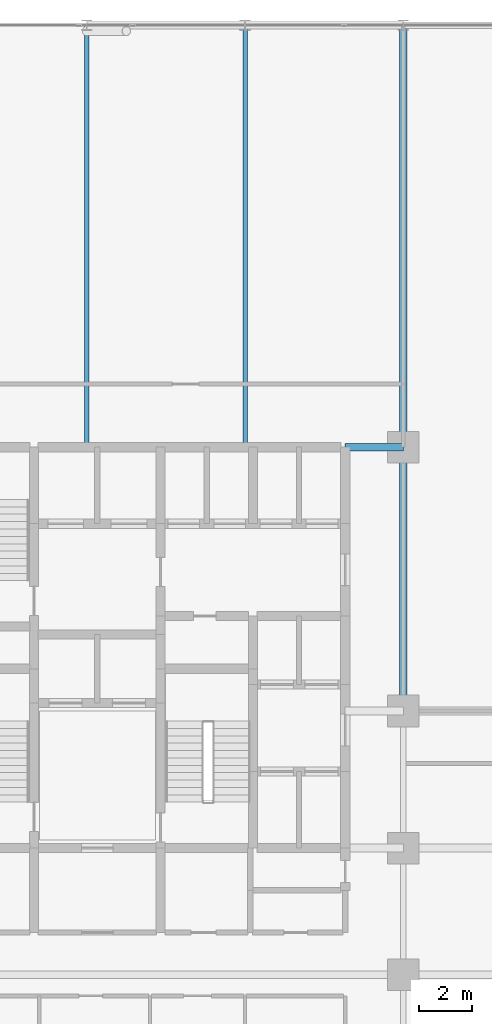
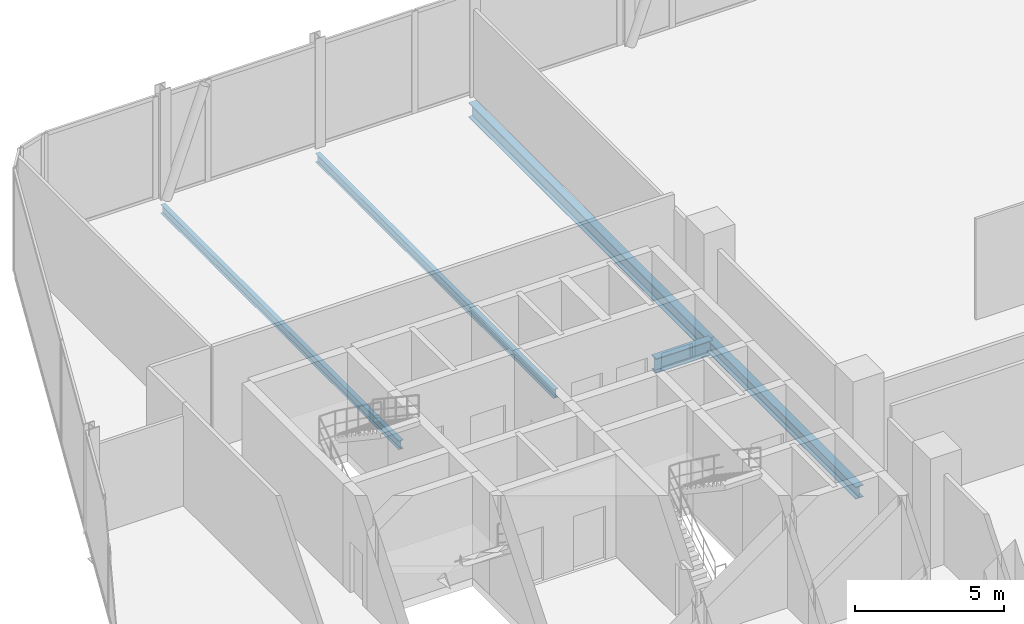
# One storey, part 13 of 30: 5 beams.
"""IFC4 building model written with IfcOpenShell, lengths in metres."""

import ifcopenshell
import ifcopenshell.guid

model = None  # the IFC model being written
_history = None  # IfcOwnerHistory: only IFC2X3 demands one
_inside = {}  # id of a spatial element -> (the spatial element, [elements in it])
_under = {}  # id of a project, library or spatial element -> (it, [spatial elements below it])
_declared = {}  # id of a project -> (the project, [libraries it declares])
_typed = {}  # id of a type object -> (the type object, [elements of that type])
_made_of = {}  # id of a material, layer set ... -> (it, [elements and type objects made of it])


def new_model(schema):
    """Start an empty IFC model of exactly this schema.

    Asked for "IFC4X3", IfcOpenShell would pick the latest addendum, in which some entities
    have other attributes; the version numbers below select the first issue.
    IFC2X3 requires an IfcOwnerHistory on every rooted entity: one is made here for all.
    """
    global model, _history
    if schema == "IFC4X3":
        model = ifcopenshell.file(schema_version=(4, 3, 0, 0))
    else:
        model = ifcopenshell.file(schema=schema)
    _inside.clear()
    _under.clear()
    _declared.clear()
    _typed.clear()
    _made_of.clear()
    _history = None
    if model.schema == "IFC2X3":
        org = make("IfcOrganization", Name="unknown")
        user = make(
            "IfcPersonAndOrganization",
            ThePerson=make("IfcPerson", FamilyName="unknown"),
            TheOrganization=org,
        )
        app = make(
            "IfcApplication",
            ApplicationDeveloper=org,
            Version="unknown",
            ApplicationFullName="unknown",
            ApplicationIdentifier="unknown",
        )
        _history = make(
            "IfcOwnerHistory",
            OwningUser=user,
            OwningApplication=app,
            ChangeAction="ADDED",
            CreationDate=0,
        )
    return model


def make(cls, **values):
    """One entity of the class cls with the attributes given. An attribute that is None is left unset."""
    return model.create_entity(
        cls, **{name: value for name, value in values.items() if value is not None}
    )


def rooted(cls, **values):
    """An entity with a GlobalId (a new one), such as an element, a storey or a relation."""
    return make(cls, GlobalId=ifcopenshell.guid.new(), OwnerHistory=_history, **values)


def si_unit(unit_type, name, prefix=None):
    """IfcSIUnit, for example si_unit("LENGTHUNIT", "METRE", prefix="MILLI")."""
    return make("IfcSIUnit", UnitType=unit_type, Prefix=prefix, Name=name)


def assignment(units):
    """IfcUnitAssignment: the units of a project."""
    return None if units is None else make("IfcUnitAssignment", Units=units)


def point(xyz):
    """IfcCartesianPoint."""
    return None if xyz is None else make("IfcCartesianPoint", Coordinates=xyz)


def direction(xyz):
    """IfcDirection."""
    return None if xyz is None else make("IfcDirection", DirectionRatios=xyz)


def frame(location, z_axis=None, x_axis=None):
    """IfcAxis2Placement3D, a coordinate frame: its origin and axes. An axis left out is left unset."""
    return make(
        "IfcAxis2Placement3D",
        Location=point(location),
        Axis=direction(z_axis),
        RefDirection=direction(x_axis),
    )


def frame_2d(location, x_axis=None):
    """IfcAxis2Placement2D, a coordinate frame in the plane: its origin and x axis."""
    return make(
        "IfcAxis2Placement2D", Location=point(location), RefDirection=direction(x_axis)
    )


def origin():
    """The frame at (0, 0, 0) with its axes left unset."""
    return frame((0.0, 0.0, 0.0))


def origin_2d():
    """The frame at (0, 0) in the plane with its x axis left unset."""
    return frame_2d((0.0, 0.0))


def place(relative_to, where):
    """IfcLocalPlacement: puts the frame where relative to a parent placement (None: the world)."""
    return make(
        "IfcLocalPlacement", PlacementRelTo=relative_to, RelativePlacement=where
    )


def context(
    kind, dimensions, precision=None, world=None, true_north=None, identifier=None
):
    """IfcGeometricRepresentationContext, for example the 3D "Model" context."""
    return make(
        "IfcGeometricRepresentationContext",
        ContextIdentifier=identifier,
        ContextType=kind,
        CoordinateSpaceDimension=dimensions,
        Precision=precision,
        WorldCoordinateSystem=world,
        TrueNorth=true_north,
    )


def subcontext(parent, identifier, kind, view, scale=None):
    """IfcGeometricRepresentationSubContext, for example "Body" below "Model"."""
    return make(
        "IfcGeometricRepresentationSubContext",
        ContextIdentifier=identifier,
        ContextType=kind,
        ParentContext=parent,
        TargetScale=scale,
        TargetView=view,
    )


def project(units=None, contexts=None):
    """IfcProject with its units and contexts."""
    return rooted(
        "IfcProject",
        Name="project",
        RepresentationContexts=contexts,
        UnitsInContext=assignment(units),
    )


def spatial(cls, under=None, at=None, **own):
    """A site, building, storey or space (cls), placed at a placement, below another one or the project."""
    s = rooted(cls, ObjectPlacement=at, **own)
    if under is not None:
        _under.setdefault(under.id(), (under, []))[1].append(s)
    return s


def profile(cls, at=None, kind="AREA", **sizes):
    """A parametric profile (cls). Its sizes go by their IFC names, for example OverallWidth=200.0."""
    return make(cls, ProfileType=kind, Position=at, **sizes)


def i_section(**sizes):
    """IfcIShapeProfileDef."""
    return profile("IfcIShapeProfileDef", **sizes)


def extrude(swept, where, along, depth):
    """IfcExtrudedAreaSolid: the profile swept, set in the frame where, extruded along a direction by depth."""
    return make(
        "IfcExtrudedAreaSolid",
        SweptArea=swept,
        Position=where,
        ExtrudedDirection=direction(along),
        Depth=depth,
    )


def shape(context_of_items, identifier, shape_type, items):
    """IfcShapeRepresentation: the items that make up one representation, for example the "Body"."""
    return make(
        "IfcShapeRepresentation",
        ContextOfItems=context_of_items,
        RepresentationIdentifier=identifier,
        RepresentationType=shape_type,
        Items=items,
    )


def material(Name=None, Category=None):
    """IfcMaterial."""
    return make("IfcMaterial", Name=Name, Category=Category)


def material_profile(
    of_material, cross_section, Name=None, Category=None, Priority=None
):
    """IfcMaterialProfile: a cross section and its material."""
    return make(
        "IfcMaterialProfile",
        Name=Name,
        Material=of_material,
        Profile=cross_section,
        Priority=Priority,
        Category=Category,
    )


def profile_set(profiles, Name=None, composite=None):
    """IfcMaterialProfileSet."""
    return make(
        "IfcMaterialProfileSet",
        Name=Name,
        MaterialProfiles=profiles,
        CompositeProfile=composite,
    )


def made_of(thing, what):
    """Note that an element or type object is made of a material, layer set ...; save() writes the relation."""
    if what is not None:
        _made_of.setdefault(what.id(), (what, []))[1].append(thing)
    return thing


def type_object(cls, material=None, **own):
    """A type object (cls), such as IfcWallType, which elements share."""
    return made_of(rooted(cls, **own), material)


def element(
    cls,
    number,
    at=None,
    inside=None,
    cuts=None,
    type_object=None,
    material=None,
    context=None,
    identifier="Body",
    shape_type=None,
    held_by="IfcProductDefinitionShape",
    body=None,
    shapes=None,
    **own,
):
    """One element of the class cls, such as IfcWall. Its Tag is "e" and its number.

    at: its placement. inside: the storey or other place that contains it. cuts: it is an
    opening in that element (IfcRelVoidsElement). A single representation is given by context,
    identifier, shape_type and body (its items); several are given by shapes. held_by: the class
    of the entity that holds the representations. save() writes the other relations.
    """
    e = rooted(cls, Tag="e%d" % number, ObjectPlacement=at, **own)
    if body is not None:
        shapes = [shape(context, identifier, shape_type, body)]
    if shapes is not None:
        e.Representation = make(held_by, Representations=shapes)
    if inside is not None:
        _inside.setdefault(inside.id(), (inside, []))[1].append(e)
    if cuts is not None:
        rooted(
            "IfcRelVoidsElement", RelatingBuildingElement=cuts, RelatedOpeningElement=e
        )
    if type_object is not None:
        _typed.setdefault(type_object.id(), (type_object, []))[1].append(e)
    return made_of(e, material)


def aggregate(whole, parts):
    """IfcRelAggregates: a whole, such as a stair, and the parts it consists of."""
    return rooted("IfcRelAggregates", RelatingObject=whole, RelatedObjects=parts)


def save(model, path):
    """Write the relations noted so far, then the file.

    IfcRelAggregates (storeys below a building ...), IfcRelContainedInSpatialStructure (elements
    in a storey), IfcRelDefinesByType, IfcRelAssociatesMaterial and IfcRelDeclares: one each for
    every whole, place, type object, material and project.
    """
    for whole, parts in _under.values():
        aggregate(whole, parts)
    for where, things in _inside.values():
        rooted(
            "IfcRelContainedInSpatialStructure",
            RelatedElements=things,
            RelatingStructure=where,
        )
    for kind, things in _typed.values():
        rooted("IfcRelDefinesByType", RelatedObjects=things, RelatingType=kind)
    for what, things in _made_of.values():
        rooted("IfcRelAssociatesMaterial", RelatedObjects=things, RelatingMaterial=what)
    for by, libraries in _declared.values():
        rooted("IfcRelDeclares", RelatingContext=by, RelatedDefinitions=libraries)
    model.write(path)


model = new_model("IFC4")

# Units and contexts
model_context = context("Model", 3, precision=1e-05, world=origin(), true_north=direction((0.0, 1.0)))
body_context = subcontext(model_context, "Body", "Model", "MODEL_VIEW")
ifc_project = project(units=[si_unit("LENGTHUNIT", "METRE"), si_unit("AREAUNIT", "SQUARE_METRE"), si_unit("VOLUMEUNIT", "CUBIC_METRE"), si_unit("PLANEANGLEUNIT", "RADIAN"), si_unit("MASSUNIT", "GRAM", prefix="KILO")], contexts=[model_context])

# Site, building, storey
site_placement = place(None, origin())
site = spatial("IfcSite", under=ifc_project, at=site_placement, CompositionType="ELEMENT")
building_placement = place(site_placement, origin())
building = spatial("IfcBuilding", under=site, at=building_placement, Name="Keshet Zoharim Tower", CompositionType="ELEMENT")
storey_placement = place(building_placement, frame((0.0, 0.0, 65.60009765625)))
storey = spatial("IfcBuildingStorey", under=building, at=storey_placement, Name="L15", CompositionType="ELEMENT", Elevation=65.60009765625)

# Beams
ifc_material = material(Name="Steel S355", Category="steel")
ifc_material_profile_1 = material_profile(ifc_material, i_section(OverallWidth=0.300048828125, OverallDepth=0.60009765625, WebThickness=0.015380859375, FlangeThickness=0.030029296875, FilletRadius=0.027099609375, at=origin_2d()), Name="HEB600")
ifc_profile_set_1 = profile_set([ifc_material_profile_1], Name="Steel S355")
beam_type_1 = type_object("IfcBeamType", Name="BM-CLK-HB600", PredefinedType="BEAM", material=ifc_profile_set_1)
beam_1_placement = place(storey_placement, frame((30.800048828125, 37.89990234375, -0.6201171875), z_axis=(1.0, 0.0, 0.0), x_axis=(0.0, 1.0, 0.0)))
element("IfcBeam", 1, at=beam_1_placement, inside=storey, type_object=beam_type_1, Name="L15 Core Wall Link Girder 03", PredefinedType="BEAM", context=body_context, shape_type="SweptSolid", body=[
    extrude(i_section(OverallWidth=0.300048828125, OverallDepth=0.60009765625, WebThickness=0.015380859375, FlangeThickness=0.030029296875, FilletRadius=0.027099609375, at=origin_2d()), origin(), (0.0, 0.0, 1.0), 2.199951171875),
])
ifc_material_profile_2 = material_profile(ifc_material, i_section(OverallWidth=0.169921875, OverallDepth=0.360107421875, WebThickness=0.008056640625, FlangeThickness=0.0126953125, FilletRadius=0.01806640625, at=origin_2d()), Name="IPE360")
ifc_profile_set_2 = profile_set([ifc_material_profile_2], Name="Steel S355")
beam_type_2 = type_object("IfcBeamType", Name="BM-JST-IP360", PredefinedType="JOIST", material=ifc_profile_set_2)
for number, where, z_axis, x_axis, name in (
    (2, (21.0, 37.89990234375, -0.5), (0.0, 1.0, 0.0), (-1.0, 0.0, 0.0), "L15 Secondary Floor Joist J-001"),
    (3, (27.0, 37.89990234375, -0.5), (0.0, 1.0, 0.0), (-1.0, 0.0, 0.0), "L15 Secondary Floor Joist J-002"),
):
    element("IfcBeam", number, at=place(storey_placement, frame(where, z_axis=z_axis, x_axis=x_axis)), inside=storey, type_object=beam_type_2, Name=name, PredefinedType="JOIST", context=body_context, shape_type="SweptSolid", body=[
        extrude(i_section(OverallWidth=0.169921875, OverallDepth=0.360107421875, WebThickness=0.008056640625, FlangeThickness=0.0126953125, FilletRadius=0.01806640625, at=origin_2d()), origin(), (0.0, 0.0, 1.0), 16.0),
    ])
ifc_material_profile_3 = material_profile(ifc_material, i_section(OverallWidth=0.300048828125, OverallDepth=0.60009765625, WebThickness=0.015380859375, FlangeThickness=0.030029296875, FilletRadius=0.027099609375, at=origin_2d()), Name="HEB600")
ifc_profile_set_3 = profile_set([ifc_material_profile_3], Name="Steel S355")
beam_type_3 = type_object("IfcBeamType", Name="BM-LNG-HB600", PredefinedType="BEAM", material=ifc_profile_set_3)
beam_2_placement = place(storey_placement, frame((33.0, 37.89990234375, -0.6201171875), z_axis=(0.0, 1.0, 0.0), x_axis=(-1.0, 0.0, 0.0)))
element("IfcBeam", 4, at=beam_2_placement, inside=storey, type_object=beam_type_3, Name="L15 Primary Girder Y-011", PredefinedType="BEAM", context=body_context, shape_type="SweptSolid", body=[
    extrude(i_section(OverallWidth=0.300048828125, OverallDepth=0.60009765625, WebThickness=0.015380859375, FlangeThickness=0.030029296875, FilletRadius=0.027099609375, at=origin_2d()), origin(), (0.0, 0.0, 1.0), 16.0),
])
ifc_material_profile_4 = material_profile(ifc_material, i_section(OverallWidth=0.300048828125, OverallDepth=0.5, WebThickness=0.014404296875, FlangeThickness=0.028076171875, FilletRadius=0.027099609375, at=origin_2d()), Name="HEB500")
ifc_profile_set_4 = profile_set([ifc_material_profile_4], Name="Steel S355")
beam_type_4 = type_object("IfcBeamType", Name="BM-MED-HB500", PredefinedType="BEAM", material=ifc_profile_set_4)
beam_3_placement = place(storey_placement, frame((33.0, 27.89990234375, -0.570068359375), z_axis=(0.0, 1.0, 0.0), x_axis=(-1.0, 0.0, 0.0)))
element("IfcBeam", 5, at=beam_3_placement, inside=storey, type_object=beam_type_4, Name="L15 Primary Girder Y-010", PredefinedType="BEAM", context=body_context, shape_type="SweptSolid", body=[
    extrude(i_section(OverallWidth=0.300048828125, OverallDepth=0.5, WebThickness=0.014404296875, FlangeThickness=0.028076171875, FilletRadius=0.027099609375, at=origin_2d()), origin(), (0.0, 0.0, 1.0), 10.0),
])

save(model, "model.ifc")
